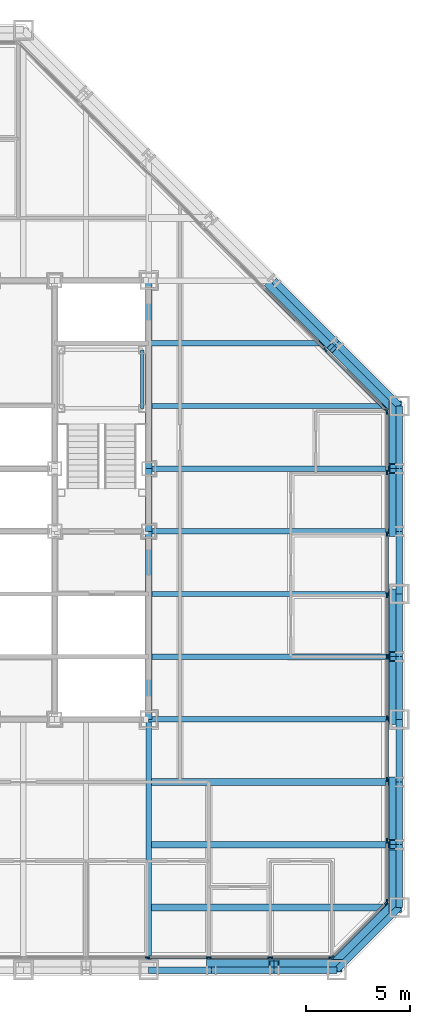
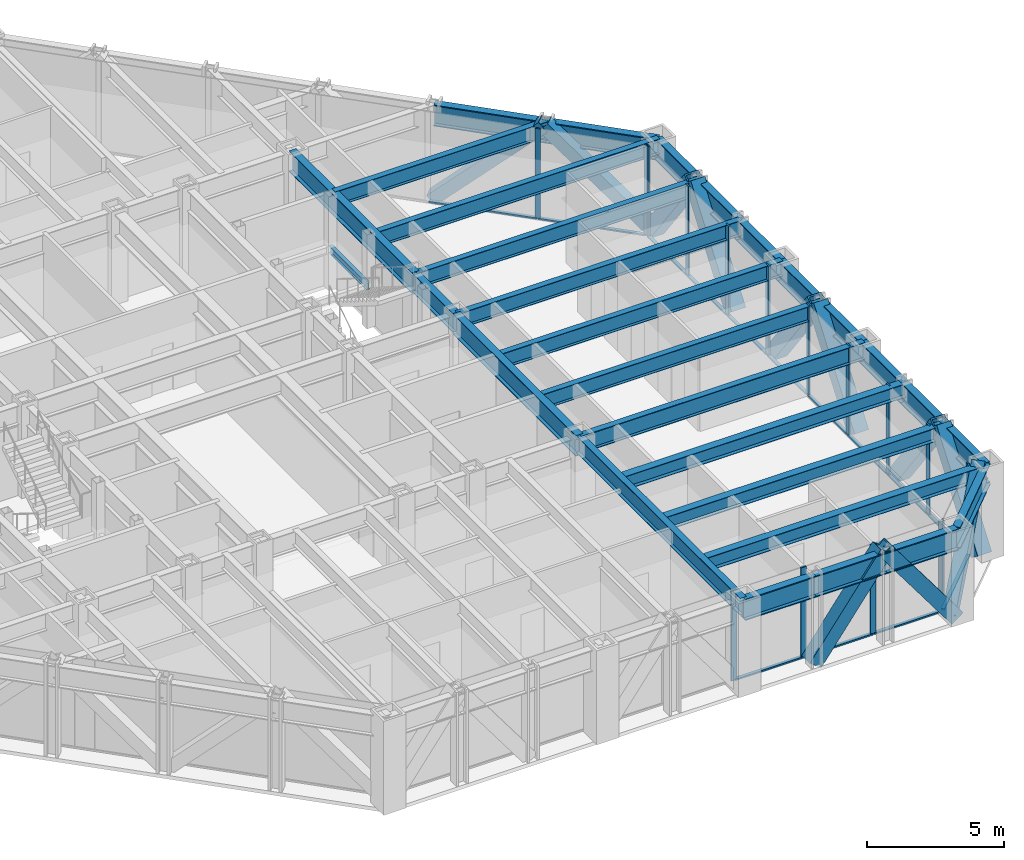
# One storey, part 6 of 16: 42 members, 29 beams, 4 elements without a shape of their own.
"""IFC4 building model written with IfcOpenShell, lengths in metres."""

from ifc_helpers import new_model, si_unit, direction, frame, origin, origin_2d, place, context, subcontext, project, spatial, rectangle, hollow_rectangle, i_section, extrude, material, layer, layer_set, material_profile, profile_set, type_object, element, aggregate, save


model = new_model("IFC4")

# Units and contexts
model_context = context("Model", 3, precision=1e-05, world=origin(), true_north=direction((0.0, 1.0)))
body_context = subcontext(model_context, "Body", "Model", "MODEL_VIEW")
ifc_project = project(units=[si_unit("LENGTHUNIT", "METRE"), si_unit("AREAUNIT", "SQUARE_METRE"), si_unit("VOLUMEUNIT", "CUBIC_METRE"), si_unit("PLANEANGLEUNIT", "RADIAN"), si_unit("MASSUNIT", "GRAM", prefix="KILO")], contexts=[model_context])

# Site, building, storey
site_placement = place(None, origin())
site = spatial("IfcSite", under=ifc_project, at=site_placement, CompositionType="ELEMENT")
building_placement = place(site_placement, origin())
building = spatial("IfcBuilding", under=site, at=building_placement, Name="Chuquiago Exchange Tower", CompositionType="ELEMENT")
storey_placement = place(building_placement, frame((0.0, 0.0, 115.199951171875)))
storey = spatial("IfcBuildingStorey", under=building, at=storey_placement, Name="L24", CompositionType="ELEMENT", Elevation=115.199951171875)

# Beams
ifc_material_1 = material(Name="Steel ASTM A992", Category="steel")
ifc_material_profile_1 = material_profile(ifc_material_1, i_section(OverallWidth=0.25390625, OverallDepth=0.683349609375, WebThickness=0.012451171875, FlangeThickness=0.018798828125, at=origin_2d()), Name="W27X94")
ifc_profile_set_1 = profile_set([ifc_material_profile_1], Name="Steel ASTM A992")
beam_type_1 = type_object("IfcBeamType", Name="B1 W27X94", PredefinedType="BEAM", material=ifc_profile_set_1)
for number, where, z_axis, x_axis, name in (
    (1, (33.0, 15.0, 3.698486328125), (1.0, 0.0, 0.0), (0.0, 1.0, 0.0), "FB-L25-infill-33_15-45_15-0"),
    (2, (33.0, 18.0, 3.698486328125), (1.0, 0.0, 0.0), (0.0, 1.0, 0.0), "FB-L25-infill-33_18-45_18-0"),
    (3, (33.0, 21.0, 3.698486328125), (1.0, 0.0, 0.0), (0.0, 1.0, 0.0), "FB-L25-infill-33_21-45_21-0"),
    (4, (33.0, 24.0, 3.698486328125), (1.0, 0.0, 0.0), (0.0, 1.0, 0.0), "FB-L25-infill-33_24-45_24-0"),
    (5, (33.0, 27.0, 3.698486328125), (1.0, 0.0, 0.0), (0.0, 1.0, 0.0), "FB-L25-infill-33_27-45_27-0"),
):
    element("IfcBeam", number, at=place(storey_placement, frame(where, z_axis=z_axis, x_axis=x_axis)), inside=storey, type_object=beam_type_1, Name=name, PredefinedType="BEAM", context=body_context, shape_type="SweptSolid", body=[
        extrude(i_section(OverallWidth=0.25390625, OverallDepth=0.683349609375, WebThickness=0.012451171875, FlangeThickness=0.018798828125, at=origin_2d()), origin(), (0.0, 0.0, 1.0), 12.0),
    ])
beam_1_placement = place(storey_placement, frame((33.0, 30.0, 3.698486328125), z_axis=(1.0, 0.0, 0.0), x_axis=(0.0, 1.0, 0.0)))
element("IfcBeam", 6, at=beam_1_placement, inside=storey, type_object=beam_type_1, Name="FB-L25-infill-33_30-42_30-0", PredefinedType="BEAM", context=body_context, shape_type="SweptSolid", body=[
    extrude(i_section(OverallWidth=0.25390625, OverallDepth=0.683349609375, WebThickness=0.012451171875, FlangeThickness=0.018798828125, at=origin_2d()), origin(), (0.0, 0.0, 1.0), 9.0),
])
ifc_material_2 = material(Name="Steel ASTM A992", Category="steel")
ifc_material_profile_2 = material_profile(ifc_material_2, i_section(OverallWidth=0.307373046875, OverallDepth=0.927001953125, WebThickness=0.01953125, FlangeThickness=0.031982421875, at=origin_2d()), Name="W36X194")
ifc_profile_set_2 = profile_set([ifc_material_profile_2], Name="Steel ASTM A992")
beam_type_2 = type_object("IfcBeamType", Name="B10 W36X194", PredefinedType="BEAM", material=ifc_profile_set_2)
for number, where, z_axis, x_axis, name in (
    (7, (33.0, 12.0, 3.57666015625), (0.0, 1.0, 0.0), (-1.0, 0.0, 0.0), "CB-L25-33_12-33_21"),
    (8, (33.0, 24.0, 3.57666015625), (0.0, 1.0, 0.0), (-1.0, 0.0, 0.0), "CB-L25-33_24-33_33"),
):
    element("IfcBeam", number, at=place(storey_placement, frame(where, z_axis=z_axis, x_axis=x_axis)), inside=storey, type_object=beam_type_2, Name=name, PredefinedType="BEAM", context=body_context, shape_type="SweptSolid", body=[
        extrude(i_section(OverallWidth=0.307373046875, OverallDepth=0.927001953125, WebThickness=0.01953125, FlangeThickness=0.031982421875, at=origin_2d()), origin(), (0.0, 0.0, 1.0), 9.0),
    ])
ifc_material_3 = material(Name="Steel ASTM A992", Category="steel")
ifc_material_profile_3 = material_profile(ifc_material_3, i_section(OverallWidth=0.3251953125, OverallDepth=0.612060546875, WebThickness=0.0126953125, FlangeThickness=0.01904296875, at=origin_2d()), Name="W24X104")
ifc_profile_set_3 = profile_set([ifc_material_profile_3], Name="Steel ASTM A992")
beam_type_3 = type_object("IfcBeamType", Name="B2 W24X104", PredefinedType="BEAM", material=ifc_profile_set_3)
for number, where, z_axis, x_axis, name in (
    (9, (33.0, 3.0, 3.73388671875), (1.0, 0.0, 0.0), (0.0, 1.0, 0.0), "FB-L25-corner-33_3-45_3-0"),
    (10, (33.0, 6.0, 3.73388671875), (1.0, 0.0, 0.0), (0.0, 1.0, 0.0), "FB-L25-corner-33_6-45_6-0"),
    (11, (33.0, 9.0, 3.73388671875), (1.0, 0.0, 0.0), (0.0, 1.0, 0.0), "FB-L25-corner-33_9-45_9-0"),
):
    element("IfcBeam", number, at=place(storey_placement, frame(where, z_axis=z_axis, x_axis=x_axis)), inside=storey, type_object=beam_type_3, Name=name, PredefinedType="BEAM", context=body_context, shape_type="SweptSolid", body=[
        extrude(i_section(OverallWidth=0.3251953125, OverallDepth=0.612060546875, WebThickness=0.0126953125, FlangeThickness=0.01904296875, at=origin_2d()), origin(), (0.0, 0.0, 1.0), 12.0),
    ])
ifc_material_4 = material(Name="Steel ASTM A992", Category="steel")
ifc_material_profile_4 = material_profile(ifc_material_4, i_section(OverallWidth=0.2919921875, OverallDepth=0.8583984375, WebThickness=0.01708984375, FlangeThickness=0.031005859375, at=origin_2d()), Name="W33X169")
ifc_profile_set_4 = profile_set([ifc_material_profile_4], Name="Steel ASTM A992")
beam_type_4 = type_object("IfcBeamType", Name="B3 W33X169", PredefinedType="BEAM", material=ifc_profile_set_4)
beam_2_placement = place(storey_placement, frame((33.0, 21.0, 3.61083984375), z_axis=(0.0, 1.0, 0.0), x_axis=(-1.0, 0.0, 0.0)))
element("IfcBeam", 12, at=beam_2_placement, inside=storey, type_object=beam_type_4, Name="CB-L25-33_21-33_24", PredefinedType="BEAM", context=body_context, shape_type="SweptSolid", body=[
    extrude(i_section(OverallWidth=0.2919921875, OverallDepth=0.8583984375, WebThickness=0.01708984375, FlangeThickness=0.031005859375, at=origin_2d()), origin(), (0.0, 0.0, 1.0), 3.0),
])

# Curtain wall, members
ifc_material_5 = material(Name="Aluminium curtain wall system", Category="aluminium")
ifc_layer_1 = layer(ifc_material_5, 0.22509765625)
ifc_layer_set_1 = layer_set([ifc_layer_1], Name="CW2 office curtain wall")
curtain_wall_type_1 = type_object("IfcCurtainWallType", Name="CW2 office curtain wall", PredefinedType="NOTDEFINED", material=ifc_layer_set_1)
curtain_wall_1_placement = place(storey_placement, origin())
curtain_wall_1 = element("IfcCurtainWall", 13, at=curtain_wall_1_placement, inside=storey, type_object=curtain_wall_type_1, Name="CW2 curtain wall L24", PredefinedType="NOTDEFINED")
ifc_material_6 = material(Name="Aluminium mullion, pale anodised", Category="aluminium")
ifc_material_profile_5 = material_profile(ifc_material_6, rectangle(XDim=0.06494140625, YDim=0.22509765625, at=origin_2d()), Name="AL 65x225")
ifc_profile_set_5 = profile_set([ifc_material_profile_5], Name="Aluminium mullion, pale anodised")
member_type_1 = type_object("IfcMemberType", Name="CW2-M mullion 65x225", PredefinedType="MULLION", material=ifc_profile_set_5)
member_1_placement = place(storey_placement, frame((32.93798828125, 0.60009765625, 0.0), z_axis=(0.0, 0.0, 1.0), x_axis=(0.0, 1.0, 0.0)))
member_1 = element("IfcMember", 14, at=member_1_placement, type_object=member_type_1, Name="CW2 mullion 6", PredefinedType="MULLION", context=body_context, shape_type="SweptSolid", body=[
    extrude(rectangle(XDim=0.06494140625, YDim=0.22509765625, at=origin_2d()), origin(), (0.0, 0.0, 1.0), 4.0400390625),
])
member_2_placement = place(storey_placement, frame((35.875732421875, 0.60009765625, 0.0), z_axis=(0.0, 0.0, 1.0), x_axis=(0.0, 1.0, 0.0)))
member_2 = element("IfcMember", 15, at=member_2_placement, type_object=member_type_1, Name="CW2 mullion 7", PredefinedType="MULLION", context=body_context, shape_type="SweptSolid", body=[
    extrude(rectangle(XDim=0.06494140625, YDim=0.22509765625, at=origin_2d()), origin(), (0.0, 0.0, 1.0), 4.0400390625),
])
member_3_placement = place(storey_placement, frame((38.813720703125, 0.60009765625, 0.0), z_axis=(0.0, 0.0, 1.0), x_axis=(0.0, 1.0, 0.0)))
member_3 = element("IfcMember", 16, at=member_3_placement, type_object=member_type_1, Name="CW2 mullion 8", PredefinedType="MULLION", context=body_context, shape_type="SweptSolid", body=[
    extrude(rectangle(XDim=0.06494140625, YDim=0.22509765625, at=origin_2d()), origin(), (0.0, 0.0, 1.0), 4.0400390625),
])
member_4_placement = place(storey_placement, frame((41.718994140625, 0.60009765625, 0.0), z_axis=(0.0, 0.0, 1.0), x_axis=(0.0, 1.0, 0.0)))
member_4 = element("IfcMember", 17, at=member_4_placement, type_object=member_type_1, Name="CW2 mullion 9", PredefinedType="MULLION", context=body_context, shape_type="SweptSolid", body=[
    extrude(rectangle(XDim=0.06494140625, YDim=0.22509765625, at=origin_2d()), origin(), (0.0, 0.0, 1.0), 4.0400390625),
])

curtain_wall_2_placement = place(storey_placement, origin())
curtain_wall_2 = element("IfcCurtainWall", 18, at=curtain_wall_2_placement, inside=storey, type_object=curtain_wall_type_1, Name="CW2 curtain wall L24", PredefinedType="NOTDEFINED")
member_5_placement = place(storey_placement, frame((44.39990234375, 3.281005859375, 0.0), z_axis=(0.0, 0.0, 1.0), x_axis=(-1.0, 0.0, 0.0)))
member_5 = element("IfcMember", 19, at=member_5_placement, type_object=member_type_1, Name="CW2 mullion 1", PredefinedType="MULLION", context=body_context, shape_type="SweptSolid", body=[
    extrude(rectangle(XDim=0.06494140625, YDim=0.22509765625, at=origin_2d()), origin(), (0.0, 0.0, 1.0), 4.0400390625),
])
member_6_placement = place(storey_placement, frame((44.39990234375, 6.186279296875, 0.0), z_axis=(0.0, 0.0, 1.0), x_axis=(-1.0, 0.0, 0.0)))
member_6 = element("IfcMember", 20, at=member_6_placement, type_object=member_type_1, Name="CW2 mullion 2", PredefinedType="MULLION", context=body_context, shape_type="SweptSolid", body=[
    extrude(rectangle(XDim=0.06494140625, YDim=0.22509765625, at=origin_2d()), origin(), (0.0, 0.0, 1.0), 4.0400390625),
])
member_7_placement = place(storey_placement, frame((44.39990234375, 9.124267578125, 0.0), z_axis=(0.0, 0.0, 1.0), x_axis=(-1.0, 0.0, 0.0)))
member_7 = element("IfcMember", 21, at=member_7_placement, type_object=member_type_1, Name="CW2 mullion 3", PredefinedType="MULLION", context=body_context, shape_type="SweptSolid", body=[
    extrude(rectangle(XDim=0.06494140625, YDim=0.22509765625, at=origin_2d()), origin(), (0.0, 0.0, 1.0), 4.0400390625),
])
member_8_placement = place(storey_placement, frame((44.39990234375, 12.06201171875, 0.0), z_axis=(0.0, 0.0, 1.0), x_axis=(-1.0, 0.0, 0.0)))
member_8 = element("IfcMember", 22, at=member_8_placement, type_object=member_type_1, Name="CW2 mullion 4", PredefinedType="MULLION", context=body_context, shape_type="SweptSolid", body=[
    extrude(rectangle(XDim=0.06494140625, YDim=0.22509765625, at=origin_2d()), origin(), (0.0, 0.0, 1.0), 4.0400390625),
])
member_9_placement = place(storey_placement, frame((44.39990234375, 15.0, 0.0), z_axis=(0.0, 0.0, 1.0), x_axis=(-1.0, 0.0, 0.0)))
member_9 = element("IfcMember", 23, at=member_9_placement, type_object=member_type_1, Name="CW2 mullion 5", PredefinedType="MULLION", context=body_context, shape_type="SweptSolid", body=[
    extrude(rectangle(XDim=0.06494140625, YDim=0.22509765625, at=origin_2d()), origin(), (0.0, 0.0, 1.0), 4.0400390625),
])
member_10_placement = place(storey_placement, frame((44.39990234375, 17.93798828125, 0.0), z_axis=(0.0, 0.0, 1.0), x_axis=(-1.0, 0.0, 0.0)))
member_10 = element("IfcMember", 24, at=member_10_placement, type_object=member_type_1, Name="CW2 mullion 6", PredefinedType="MULLION", context=body_context, shape_type="SweptSolid", body=[
    extrude(rectangle(XDim=0.06494140625, YDim=0.22509765625, at=origin_2d()), origin(), (0.0, 0.0, 1.0), 4.0400390625),
])
member_11_placement = place(storey_placement, frame((44.39990234375, 20.875732421875, 0.0), z_axis=(0.0, 0.0, 1.0), x_axis=(-1.0, 0.0, 0.0)))
member_11 = element("IfcMember", 25, at=member_11_placement, type_object=member_type_1, Name="CW2 mullion 7", PredefinedType="MULLION", context=body_context, shape_type="SweptSolid", body=[
    extrude(rectangle(XDim=0.06494140625, YDim=0.22509765625, at=origin_2d()), origin(), (0.0, 0.0, 1.0), 4.0400390625),
])
member_12_placement = place(storey_placement, frame((44.39990234375, 23.813720703125, 0.0), z_axis=(0.0, 0.0, 1.0), x_axis=(-1.0, 0.0, 0.0)))
member_12 = element("IfcMember", 26, at=member_12_placement, type_object=member_type_1, Name="CW2 mullion 8", PredefinedType="MULLION", context=body_context, shape_type="SweptSolid", body=[
    extrude(rectangle(XDim=0.06494140625, YDim=0.22509765625, at=origin_2d()), origin(), (0.0, 0.0, 1.0), 4.0400390625),
])
member_13_placement = place(storey_placement, frame((44.39990234375, 26.718994140625, 0.0), z_axis=(0.0, 0.0, 1.0), x_axis=(-1.0, 0.0, 0.0)))
member_13 = element("IfcMember", 27, at=member_13_placement, type_object=member_type_1, Name="CW2 mullion 9", PredefinedType="MULLION", context=body_context, shape_type="SweptSolid", body=[
    extrude(rectangle(XDim=0.06494140625, YDim=0.22509765625, at=origin_2d()), origin(), (0.0, 0.0, 1.0), 4.0400390625),
])

# Member
ifc_material_7 = material(Name="Aluminium transom, pale anodised", Category="aluminium")
ifc_material_profile_6 = material_profile(ifc_material_7, rectangle(XDim=0.139892578125, YDim=0.06494140625, at=origin_2d()), Name="AL 140x65")
ifc_profile_set_6 = profile_set([ifc_material_profile_6], Name="Aluminium transom, pale anodised")
member_type_2 = type_object("IfcMemberType", Name="CW2-T transom 65x140", PredefinedType="MULLION", material=ifc_profile_set_6)
member_14_placement = place(storey_placement, frame((32.970458984375, 0.60009765625, 0.032470703125), z_axis=(1.0, 0.0, 0.0), x_axis=(0.0, 1.0, 0.0)))
member_14 = element("IfcMember", 28, at=member_14_placement, type_object=member_type_2, Name="CW2 transom 6.1", PredefinedType="MULLION", context=body_context, shape_type="SweptSolid", body=[
    extrude(rectangle(XDim=0.139892578125, YDim=0.06494140625, at=origin_2d()), origin(), (0.0, 0.0, 1.0), 2.872802734375),
])

member_15_placement = place(storey_placement, frame((35.908203125, 0.60009765625, 0.032470703125), z_axis=(1.0, 0.0, 0.0), x_axis=(0.0, 1.0, 0.0)))
member_15 = element("IfcMember", 29, at=member_15_placement, type_object=member_type_2, Name="CW2 transom 7.1", PredefinedType="MULLION", context=body_context, shape_type="SweptSolid", body=[
    extrude(rectangle(XDim=0.139892578125, YDim=0.06494140625, at=origin_2d()), origin(), (0.0, 0.0, 1.0), 2.872802734375),
])

member_16_placement = place(storey_placement, frame((38.84619140625, 0.60009765625, 0.032470703125), z_axis=(1.0, 0.0, 0.0), x_axis=(0.0, 1.0, 0.0)))
member_16 = element("IfcMember", 30, at=member_16_placement, type_object=member_type_2, Name="CW2 transom 8.1", PredefinedType="MULLION", context=body_context, shape_type="SweptSolid", body=[
    extrude(rectangle(XDim=0.139892578125, YDim=0.06494140625, at=origin_2d()), origin(), (0.0, 0.0, 1.0), 2.84033203125),
])

aggregate(curtain_wall_1, [member_1, member_2, member_3, member_4, member_14, member_15, member_16])

member_17_placement = place(storey_placement, frame((44.39990234375, 3.3134765625, 0.032470703125), z_axis=(0.0, 1.0, 0.0), x_axis=(-1.0, 0.0, 0.0)))
member_17 = element("IfcMember", 31, at=member_17_placement, type_object=member_type_2, Name="CW2 transom 1.1", PredefinedType="MULLION", context=body_context, shape_type="SweptSolid", body=[
    extrude(rectangle(XDim=0.139892578125, YDim=0.06494140625, at=origin_2d()), origin(), (0.0, 0.0, 1.0), 2.84033203125),
])

member_18_placement = place(storey_placement, frame((44.39990234375, 6.218994140625, 0.032470703125), z_axis=(0.0, 1.0, 0.0), x_axis=(-1.0, 0.0, 0.0)))
member_18 = element("IfcMember", 32, at=member_18_placement, type_object=member_type_2, Name="CW2 transom 2.1", PredefinedType="MULLION", context=body_context, shape_type="SweptSolid", body=[
    extrude(rectangle(XDim=0.139892578125, YDim=0.06494140625, at=origin_2d()), origin(), (0.0, 0.0, 1.0), 2.872802734375),
])

member_19_placement = place(storey_placement, frame((44.39990234375, 9.15673828125, 0.032470703125), z_axis=(0.0, 1.0, 0.0), x_axis=(-1.0, 0.0, 0.0)))
member_19 = element("IfcMember", 33, at=member_19_placement, type_object=member_type_2, Name="CW2 transom 3.1", PredefinedType="MULLION", context=body_context, shape_type="SweptSolid", body=[
    extrude(rectangle(XDim=0.139892578125, YDim=0.06494140625, at=origin_2d()), origin(), (0.0, 0.0, 1.0), 2.872802734375),
])

member_20_placement = place(storey_placement, frame((44.39990234375, 12.0947265625, 0.032470703125), z_axis=(0.0, 1.0, 0.0), x_axis=(-1.0, 0.0, 0.0)))
member_20 = element("IfcMember", 34, at=member_20_placement, type_object=member_type_2, Name="CW2 transom 4.1", PredefinedType="MULLION", context=body_context, shape_type="SweptSolid", body=[
    extrude(rectangle(XDim=0.139892578125, YDim=0.06494140625, at=origin_2d()), origin(), (0.0, 0.0, 1.0), 2.872802734375),
])

member_21_placement = place(storey_placement, frame((44.39990234375, 15.032470703125, 0.032470703125), z_axis=(0.0, 1.0, 0.0), x_axis=(-1.0, 0.0, 0.0)))
member_21 = element("IfcMember", 35, at=member_21_placement, type_object=member_type_2, Name="CW2 transom 5.1", PredefinedType="MULLION", context=body_context, shape_type="SweptSolid", body=[
    extrude(rectangle(XDim=0.139892578125, YDim=0.06494140625, at=origin_2d()), origin(), (0.0, 0.0, 1.0), 2.872802734375),
])

member_22_placement = place(storey_placement, frame((44.39990234375, 17.970458984375, 0.032470703125), z_axis=(0.0, 1.0, 0.0), x_axis=(-1.0, 0.0, 0.0)))
member_22 = element("IfcMember", 36, at=member_22_placement, type_object=member_type_2, Name="CW2 transom 6.1", PredefinedType="MULLION", context=body_context, shape_type="SweptSolid", body=[
    extrude(rectangle(XDim=0.139892578125, YDim=0.06494140625, at=origin_2d()), origin(), (0.0, 0.0, 1.0), 2.872802734375),
])

member_23_placement = place(storey_placement, frame((44.39990234375, 20.908203125, 0.032470703125), z_axis=(0.0, 1.0, 0.0), x_axis=(-1.0, 0.0, 0.0)))
member_23 = element("IfcMember", 37, at=member_23_placement, type_object=member_type_2, Name="CW2 transom 7.1", PredefinedType="MULLION", context=body_context, shape_type="SweptSolid", body=[
    extrude(rectangle(XDim=0.139892578125, YDim=0.06494140625, at=origin_2d()), origin(), (0.0, 0.0, 1.0), 2.872802734375),
])

member_24_placement = place(storey_placement, frame((44.39990234375, 23.84619140625, 0.032470703125), z_axis=(0.0, 1.0, 0.0), x_axis=(-1.0, 0.0, 0.0)))
member_24 = element("IfcMember", 38, at=member_24_placement, type_object=member_type_2, Name="CW2 transom 8.1", PredefinedType="MULLION", context=body_context, shape_type="SweptSolid", body=[
    extrude(rectangle(XDim=0.139892578125, YDim=0.06494140625, at=origin_2d()), origin(), (0.0, 0.0, 1.0), 2.84033203125),
])

aggregate(curtain_wall_2, [member_5, member_6, member_7, member_8, member_9, member_10, member_11, member_12, member_13, member_17, member_18, member_19, member_20, member_21, member_22, member_23, member_24])

# Curtain wall, members
ifc_material_8 = material(Name="Aluminium curtain wall system", Category="aluminium")
ifc_layer_2 = layer(ifc_material_8, 0.199951171875)
ifc_layer_set_2 = layer_set([ifc_layer_2], Name="CW3 facet curtain wall")
curtain_wall_type_2 = type_object("IfcCurtainWallType", Name="CW3 facet curtain wall", PredefinedType="NOTDEFINED", material=ifc_layer_set_2)
curtain_wall_3_placement = place(storey_placement, origin())
curtain_wall_3 = element("IfcCurtainWall", 39, at=curtain_wall_3_placement, inside=storey, type_object=curtain_wall_type_2, Name="CW3 curtain wall L24", PredefinedType="NOTDEFINED")
ifc_material_9 = material(Name="Aluminium mullion, pale anodised", Category="aluminium")
ifc_material_profile_7 = material_profile(ifc_material_9, rectangle(XDim=0.06494140625, YDim=0.199951171875, at=origin_2d()), Name="AL 65x200")
ifc_profile_set_7 = profile_set([ifc_material_profile_7], Name="Aluminium mullion, pale anodised")
member_type_3 = type_object("IfcMemberType", Name="CW3-M mullion 65x200", PredefinedType="MULLION", material=ifc_profile_set_7)
member_25_placement = place(storey_placement, frame((41.7744140625, 0.623046875, 0.0), z_axis=(0.0, 0.0, 1.0), x_axis=(-0.707106781187, 0.707106781187, 0.0)))
member_25 = element("IfcMember", 40, at=member_25_placement, type_object=member_type_3, Name="CW3 mullion 1", PredefinedType="MULLION", context=body_context, shape_type="SweptSolid", body=[
    extrude(rectangle(XDim=0.06494140625, YDim=0.199951171875, at=origin_2d()), origin(), (0.0, 0.0, 1.0), 4.0400390625),
])
member_26_placement = place(storey_placement, frame((44.376953125, 3.2255859375, 0.0), z_axis=(0.0, 0.0, 1.0), x_axis=(-0.707106781187, 0.707106781187, 0.0)))
member_26 = element("IfcMember", 41, at=member_26_placement, type_object=member_type_3, Name="CW3 mullion 2", PredefinedType="MULLION", context=body_context, shape_type="SweptSolid", body=[
    extrude(rectangle(XDim=0.06494140625, YDim=0.199951171875, at=origin_2d()), origin(), (0.0, 0.0, 1.0), 4.0400390625),
])

curtain_wall_4_placement = place(storey_placement, origin())
curtain_wall_4 = element("IfcCurtainWall", 42, at=curtain_wall_4_placement, inside=storey, type_object=curtain_wall_type_2, Name="CW3 curtain wall L24", PredefinedType="NOTDEFINED")
member_27_placement = place(storey_placement, frame((44.376953125, 26.7744140625, 0.0), z_axis=(0.0, 0.0, 1.0), x_axis=(-0.707106781187, -0.707106781187, 0.0)))
member_27 = element("IfcMember", 43, at=member_27_placement, type_object=member_type_3, Name="CW3 mullion 1", PredefinedType="MULLION", context=body_context, shape_type="SweptSolid", body=[
    extrude(rectangle(XDim=0.06494140625, YDim=0.199951171875, at=origin_2d()), origin(), (0.0, 0.0, 1.0), 4.0400390625),
])
member_28_placement = place(storey_placement, frame((41.45849609375, 29.69287109375, 0.0), z_axis=(0.0, 0.0, 1.0), x_axis=(-0.707106781187, -0.707106781187, 0.0)))
member_28 = element("IfcMember", 44, at=member_28_placement, type_object=member_type_3, Name="CW3 mullion 2", PredefinedType="MULLION", context=body_context, shape_type="SweptSolid", body=[
    extrude(rectangle(XDim=0.06494140625, YDim=0.199951171875, at=origin_2d()), origin(), (0.0, 0.0, 1.0), 4.0400390625),
])

# Member
ifc_material_10 = material(Name="Aluminium transom, pale anodised", Category="aluminium")
ifc_material_profile_8 = material_profile(ifc_material_10, rectangle(XDim=0.139892578125, YDim=0.06494140625, at=origin_2d()), Name="AL 140x65")
ifc_profile_set_8 = profile_set([ifc_material_profile_8], Name="Aluminium transom, pale anodised")
member_type_4 = type_object("IfcMemberType", Name="CW3-T transom 65x140", PredefinedType="MULLION", material=ifc_profile_set_8)
member_29_placement = place(storey_placement, frame((41.79736328125, 0.64599609375, 0.032470703125), z_axis=(0.707106781187, 0.707106781187, 0.0), x_axis=(-0.707106781187, 0.707106781187, 0.0)))
member_29 = element("IfcMember", 45, at=member_29_placement, type_object=member_type_4, Name="CW3 transom 1.1", PredefinedType="MULLION", context=body_context, shape_type="SweptSolid", body=[
    extrude(rectangle(XDim=0.139892578125, YDim=0.06494140625, at=origin_2d()), origin(), (0.0, 0.0, 1.0), 3.61572265625),
])

aggregate(curtain_wall_3, [member_25, member_26, member_29])

member_30_placement = place(storey_placement, frame((44.35400390625, 26.79736328125, 0.032470703125), z_axis=(-0.707106781187, 0.707106781187, 0.0), x_axis=(-0.707106781187, -0.707106781187, 0.0)))
member_30 = element("IfcMember", 46, at=member_30_placement, type_object=member_type_4, Name="CW3 transom 1.1", PredefinedType="MULLION", context=body_context, shape_type="SweptSolid", body=[
    extrude(rectangle(XDim=0.139892578125, YDim=0.06494140625, at=origin_2d()), origin(), (0.0, 0.0, 1.0), 4.0625),
])

member_31_placement = place(storey_placement, frame((41.435546875, 29.7158203125, 0.032470703125), z_axis=(-0.707106781187, 0.707106781187, 0.0), x_axis=(-0.707106781187, -0.707106781187, 0.0)))
member_31 = element("IfcMember", 47, at=member_31_placement, type_object=member_type_4, Name="CW3 transom 2.1", PredefinedType="MULLION", context=body_context, shape_type="SweptSolid", body=[
    extrude(rectangle(XDim=0.139892578125, YDim=0.06494140625, at=origin_2d()), origin(), (0.0, 0.0, 1.0), 4.094970703125),
])

aggregate(curtain_wall_4, [member_27, member_28, member_30, member_31])

# Beams
ifc_material_11 = material(Name="Steel ASTM A992", Category="steel")
ifc_material_profile_9 = material_profile(ifc_material_11, i_section(OverallWidth=0.2666015625, OverallDepth=0.76953125, WebThickness=0.015625, FlangeThickness=0.025390625, at=origin_2d()), Name="W30X132")
ifc_profile_set_9 = profile_set([ifc_material_profile_9], Name="Steel ASTM A992")
beam_type_5 = type_object("IfcBeamType", Name="G1 W30X132", PredefinedType="BEAM", material=ifc_profile_set_9)
for number, where, z_axis, x_axis, name in (
    (48, (33.0, 12.0, 3.6552734375), (0.0, -1.0, 0.0), (1.0, 0.0, 0.0), "FB-L25-girder-33_12-33_-0-0"),
    (49, (33.0, 12.0, 3.6552734375), (1.0, 0.0, 0.0), (0.0, 1.0, 0.0), "FB-L25-girder-33_12-45_12-0"),
):
    element("IfcBeam", number, at=place(storey_placement, frame(where, z_axis=z_axis, x_axis=x_axis)), inside=storey, type_object=beam_type_5, Name=name, PredefinedType="BEAM", context=body_context, shape_type="SweptSolid", body=[
        extrude(i_section(OverallWidth=0.2666015625, OverallDepth=0.76953125, WebThickness=0.015625, FlangeThickness=0.025390625, at=origin_2d()), origin(), (0.0, 0.0, 1.0), 12.0),
    ])

# Members
ifc_material_12 = material(Name="Steel ASTM A500 Grade C", Category="steel")
ifc_material_profile_10 = material_profile(ifc_material_12, hollow_rectangle(XDim=0.508056640625, YDim=0.508056640625, WallThickness=0.017822265625, at=origin_2d()), Name="HSS20X20X3/4")
ifc_profile_set_10 = profile_set([ifc_material_profile_10], Name="Steel ASTM A500 Grade C")
member_type_5 = type_object("IfcMemberType", Name="LB1 HSS20X20X3/4", PredefinedType="BRACE", material=ifc_profile_set_10)
for number, where, z_axis, x_axis, name in (
    (50, (41.822509765625, 0.177490234375, 0.0), (0.512077265487, 0.512077265487, 0.689604051861), (-0.707106781187, 0.707106781187, 0.0), "LB-L24-42_0-45_3"),
    (51, (44.822509765625, 26.822509765625, 0.0), (-0.512077265487, 0.512077265487, 0.689604051861), (-0.707106781187, -0.707106781187, 0.0), "LB-L24-45_27-42_30"),
    (52, (38.822509765625, 32.822509765625, 0.0), (0.512077265487, -0.512077265487, 0.689604051861), (0.707106781187, 0.707106781187, 0.0), "LB-L24-42_30-39_33"),
):
    element("IfcMember", number, at=place(storey_placement, frame(where, z_axis=z_axis, x_axis=x_axis)), inside=storey, type_object=member_type_5, Name=name, PredefinedType="BRACE", context=body_context, shape_type="SweptSolid", body=[
        extrude(hollow_rectangle(XDim=0.508056640625, YDim=0.508056640625, WallThickness=0.017822265625, at=origin_2d()), origin(), (0.0, 0.0, 1.0), 5.8583984375),
    ])

# Beam
ifc_material_13 = material(Name="Steel ASTM A992", Category="steel")
ifc_material_profile_11 = material_profile(ifc_material_13, i_section(OverallWidth=0.164794921875, OverallDepth=0.309814453125, WebThickness=0.005859375, FlangeThickness=0.009765625, at=origin_2d()), Name="W12X26")
ifc_profile_set_11 = profile_set([ifc_material_profile_11], Name="Steel ASTM A992")
beam_type_6 = type_object("IfcBeamType", Name="LS1 W12X26", PredefinedType="BEAM", material=ifc_profile_set_11)
beam_3_placement = place(storey_placement, frame((32.68994140625, 26.889892578125, 1.7451171875), z_axis=(0.0, 1.0, 0.0), x_axis=(-1.0, 0.0, 0.0)))
element("IfcBeam", 53, at=beam_3_placement, inside=storey, type_object=beam_type_6, Name="Stair ST2 L24 landing 1 stringer", PredefinedType="BEAM", context=body_context, shape_type="SweptSolid", body=[
    extrude(i_section(OverallWidth=0.164794921875, OverallDepth=0.309814453125, WebThickness=0.005859375, FlangeThickness=0.009765625, at=origin_2d()), origin(), (0.0, 0.0, 1.0), 2.800048828125),
])

# Members
ifc_material_14 = material(Name="Steel ASTM A572 Grade 50", Category="steel")
ifc_material_profile_12 = material_profile(ifc_material_14, hollow_rectangle(XDim=0.60009765625, YDim=0.60009765625, WallThickness=0.06005859375, at=origin_2d()), Name="BOX600X600X60")
ifc_profile_set_12 = profile_set([ifc_material_profile_12], Name="Steel ASTM A572 Grade 50")
member_type_6 = type_object("IfcMemberType", Name="MB2 BOX600X600X60", PredefinedType="BRACE", material=ifc_profile_set_12)
for number, where, z_axis, x_axis, name in (
    (54, (36.0, 0.205078125, 0.0), (0.596173923302, 0.0, 0.802855312728), (0.0, 1.0, 0.0), "Mega diagonal L24 S face"),
    (55, (42.0, 0.205078125, 0.0), (-0.596173923302, 0.0, 0.802855312728), (0.0, -1.0, 0.0), "Mega diagonal L24 S face"),
    (56, (44.794921875, 3.0, 0.0), (0.0, 0.596173923302, 0.802855312728), (-1.0, 0.0, 0.0), "Mega diagonal L24 E face"),
    (57, (44.794921875, 9.0, 0.0), (0.0, -0.596173923302, 0.802855312728), (1.0, 0.0, 0.0), "Mega diagonal L24 E face"),
    (58, (44.794921875, 12.0, 0.0), (0.0, 0.596173923302, 0.802855312728), (-1.0, 0.0, 0.0), "Mega diagonal L24 E face"),
    (59, (44.794921875, 18.0, 0.0), (0.0, -0.596173923302, 0.802855312728), (1.0, 0.0, 0.0), "Mega diagonal L24 E face"),
    (60, (44.794921875, 21.0, 0.0), (0.0, 0.596173923302, 0.802855312728), (-1.0, 0.0, 0.0), "Mega diagonal L24 E face"),
    (61, (44.794921875, 27.0, 0.0), (0.0, -0.596173923302, 0.802855312728), (1.0, 0.0, 0.0), "Mega diagonal L24 E face"),
):
    element("IfcMember", number, at=place(storey_placement, frame(where, z_axis=z_axis, x_axis=x_axis)), inside=storey, type_object=member_type_6, Name=name, PredefinedType="BRACE", context=body_context, shape_type="SweptSolid", body=[
        extrude(hollow_rectangle(XDim=0.60009765625, YDim=0.60009765625, WallThickness=0.06005859375, at=origin_2d()), origin(), (0.0, 0.0, 1.0), 5.031982421875),
    ])

# Beams
ifc_material_15 = material(Name="Steel ASTM A992", Category="steel")
ifc_material_profile_13 = material_profile(ifc_material_15, i_section(OverallWidth=0.309814453125, OverallDepth=0.949951171875, WebThickness=0.0244140625, FlangeThickness=0.0439453125, at=origin_2d()), Name="W36X256")
ifc_profile_set_13 = profile_set([ifc_material_profile_13], Name="Steel ASTM A992")
beam_type_7 = type_object("IfcBeamType", Name="SP2 W36X256", PredefinedType="SPANDREL", material=ifc_profile_set_13)
for number, where, z_axis, x_axis, name in (
    (62, (33.0, 0.0, 3.56494140625), (1.0, 0.0, 0.0), (0.0, 1.0, 0.0), "SPB-L25-33_0-36_0"),
    (63, (36.0, 0.0, 3.56494140625), (1.0, 0.0, 0.0), (0.0, 1.0, 0.0), "SPB-L25-36_0-39_0"),
    (64, (39.0, 0.0, 3.56494140625), (1.0, 0.0, 0.0), (0.0, 1.0, 0.0), "SPB-L25-39_0-42_0"),
):
    element("IfcBeam", number, at=place(storey_placement, frame(where, z_axis=z_axis, x_axis=x_axis)), inside=storey, type_object=beam_type_7, Name=name, PredefinedType="SPANDREL", context=body_context, shape_type="SweptSolid", body=[
        extrude(i_section(OverallWidth=0.309814453125, OverallDepth=0.949951171875, WebThickness=0.0244140625, FlangeThickness=0.0439453125, at=origin_2d()), origin(), (0.0, 0.0, 1.0), 3.0),
    ])
beam_4_placement = place(storey_placement, frame((42.0, 0.0, 3.56494140625), z_axis=(0.707106781187, 0.707106781187, 0.0), x_axis=(-0.707106781187, 0.707106781187, 0.0)))
element("IfcBeam", 65, at=beam_4_placement, inside=storey, type_object=beam_type_7, Name="SPB-L25-42_0-45_3", PredefinedType="SPANDREL", context=body_context, shape_type="SweptSolid", body=[
    extrude(i_section(OverallWidth=0.309814453125, OverallDepth=0.949951171875, WebThickness=0.0244140625, FlangeThickness=0.0439453125, at=origin_2d()), origin(), (0.0, 0.0, 1.0), 4.24267578125),
])
for number, where, z_axis, x_axis, name in (
    (66, (45.0, 3.0, 3.56494140625), (0.0, 1.0, 0.0), (-1.0, 0.0, 0.0), "SPB-L25-45_3-45_6"),
    (67, (45.0, 6.0, 3.56494140625), (0.0, 1.0, 0.0), (-1.0, 0.0, 0.0), "SPB-L25-45_6-45_9"),
    (68, (45.0, 9.0, 3.56494140625), (0.0, 1.0, 0.0), (-1.0, 0.0, 0.0), "SPB-L25-45_9-45_12"),
    (69, (45.0, 12.0, 3.56494140625), (0.0, 1.0, 0.0), (-1.0, 0.0, 0.0), "SPB-L25-45_12-45_15"),
    (70, (45.0, 15.0, 3.56494140625), (0.0, 1.0, 0.0), (-1.0, 0.0, 0.0), "SPB-L25-45_15-45_18"),
    (71, (45.0, 18.0, 3.56494140625), (0.0, 1.0, 0.0), (-1.0, 0.0, 0.0), "SPB-L25-45_18-45_21"),
    (72, (45.0, 21.0, 3.56494140625), (0.0, 1.0, 0.0), (-1.0, 0.0, 0.0), "SPB-L25-45_21-45_24"),
    (73, (45.0, 24.0, 3.56494140625), (0.0, 1.0, 0.0), (-1.0, 0.0, 0.0), "SPB-L25-45_24-45_27"),
):
    element("IfcBeam", number, at=place(storey_placement, frame(where, z_axis=z_axis, x_axis=x_axis)), inside=storey, type_object=beam_type_7, Name=name, PredefinedType="SPANDREL", context=body_context, shape_type="SweptSolid", body=[
        extrude(i_section(OverallWidth=0.309814453125, OverallDepth=0.949951171875, WebThickness=0.0244140625, FlangeThickness=0.0439453125, at=origin_2d()), origin(), (0.0, 0.0, 1.0), 3.0),
    ])
for number, where, z_axis, x_axis, name in (
    (74, (45.0, 27.0, 3.56494140625), (-0.707106781187, 0.707106781187, 0.0), (-0.707106781187, -0.707106781187, 0.0), "SPB-L25-45_27-42_30"),
    (75, (42.0, 30.0, 3.56494140625), (-0.707106781187, 0.707106781187, 0.0), (-0.707106781187, -0.707106781187, 0.0), "SPB-L25-42_30-39_33"),
):
    element("IfcBeam", number, at=place(storey_placement, frame(where, z_axis=z_axis, x_axis=x_axis)), inside=storey, type_object=beam_type_7, Name=name, PredefinedType="SPANDREL", context=body_context, shape_type="SweptSolid", body=[
        extrude(i_section(OverallWidth=0.309814453125, OverallDepth=0.949951171875, WebThickness=0.0244140625, FlangeThickness=0.0439453125, at=origin_2d()), origin(), (0.0, 0.0, 1.0), 4.24267578125),
    ])

save(model, "model.ifc")
